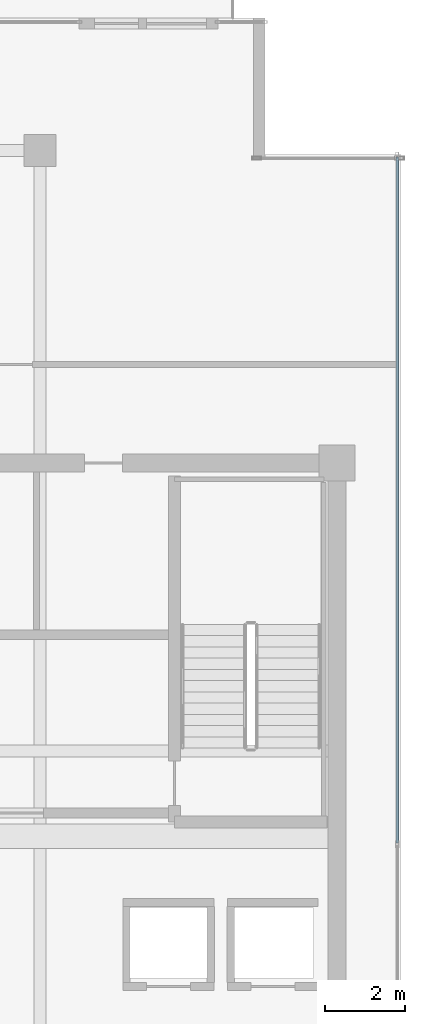
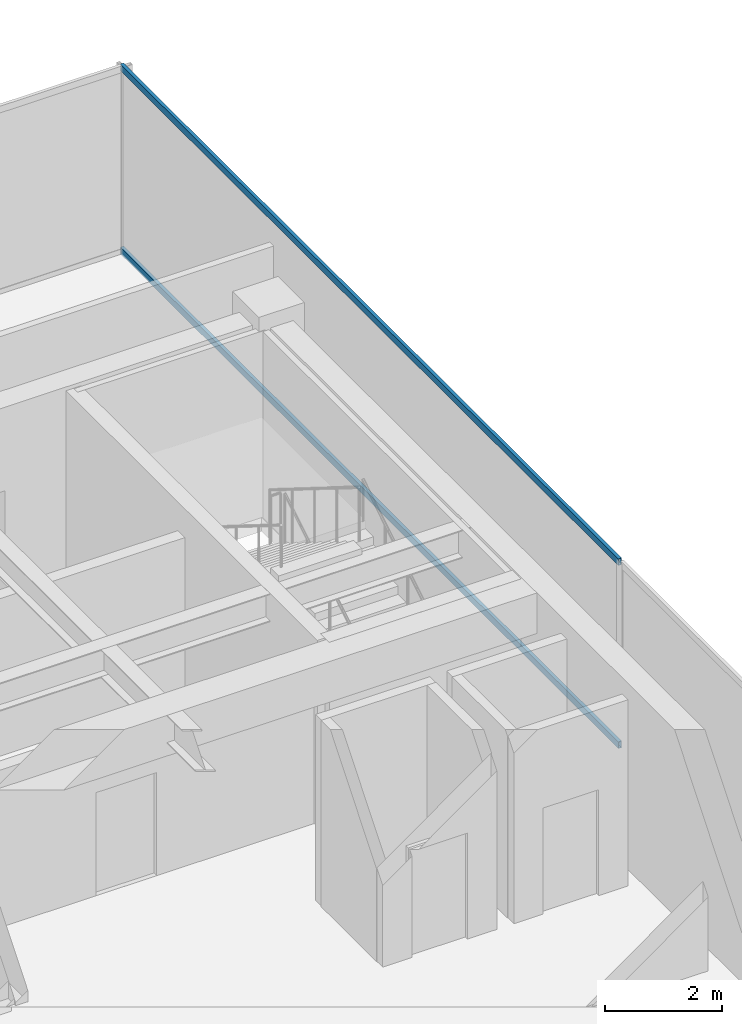
# One storey, part 15 of 31: 2 members, 1 element without a shape of its own.
"""IFC4 building model written with IfcOpenShell, lengths in metres."""

import ifcopenshell
import ifcopenshell.guid

model = None  # the IFC model being written
_history = None  # IfcOwnerHistory: only IFC2X3 demands one
_inside = {}  # id of a spatial element -> (the spatial element, [elements in it])
_under = {}  # id of a project, library or spatial element -> (it, [spatial elements below it])
_declared = {}  # id of a project -> (the project, [libraries it declares])
_typed = {}  # id of a type object -> (the type object, [elements of that type])
_made_of = {}  # id of a material, layer set ... -> (it, [elements and type objects made of it])


def new_model(schema):
    """Start an empty IFC model of exactly this schema.

    Asked for "IFC4X3", IfcOpenShell would pick the latest addendum, in which some entities
    have other attributes; the version numbers below select the first issue.
    IFC2X3 requires an IfcOwnerHistory on every rooted entity: one is made here for all.
    """
    global model, _history
    if schema == "IFC4X3":
        model = ifcopenshell.file(schema_version=(4, 3, 0, 0))
    else:
        model = ifcopenshell.file(schema=schema)
    _inside.clear()
    _under.clear()
    _declared.clear()
    _typed.clear()
    _made_of.clear()
    _history = None
    if model.schema == "IFC2X3":
        org = make("IfcOrganization", Name="unknown")
        user = make(
            "IfcPersonAndOrganization",
            ThePerson=make("IfcPerson", FamilyName="unknown"),
            TheOrganization=org,
        )
        app = make(
            "IfcApplication",
            ApplicationDeveloper=org,
            Version="unknown",
            ApplicationFullName="unknown",
            ApplicationIdentifier="unknown",
        )
        _history = make(
            "IfcOwnerHistory",
            OwningUser=user,
            OwningApplication=app,
            ChangeAction="ADDED",
            CreationDate=0,
        )
    return model


def make(cls, **values):
    """One entity of the class cls with the attributes given. An attribute that is None is left unset."""
    return model.create_entity(
        cls, **{name: value for name, value in values.items() if value is not None}
    )


def rooted(cls, **values):
    """An entity with a GlobalId (a new one), such as an element, a storey or a relation."""
    return make(cls, GlobalId=ifcopenshell.guid.new(), OwnerHistory=_history, **values)


def si_unit(unit_type, name, prefix=None):
    """IfcSIUnit, for example si_unit("LENGTHUNIT", "METRE", prefix="MILLI")."""
    return make("IfcSIUnit", UnitType=unit_type, Prefix=prefix, Name=name)


def assignment(units):
    """IfcUnitAssignment: the units of a project."""
    return None if units is None else make("IfcUnitAssignment", Units=units)


def point(xyz):
    """IfcCartesianPoint."""
    return None if xyz is None else make("IfcCartesianPoint", Coordinates=xyz)


def direction(xyz):
    """IfcDirection."""
    return None if xyz is None else make("IfcDirection", DirectionRatios=xyz)


def frame(location, z_axis=None, x_axis=None):
    """IfcAxis2Placement3D, a coordinate frame: its origin and axes. An axis left out is left unset."""
    return make(
        "IfcAxis2Placement3D",
        Location=point(location),
        Axis=direction(z_axis),
        RefDirection=direction(x_axis),
    )


def frame_2d(location, x_axis=None):
    """IfcAxis2Placement2D, a coordinate frame in the plane: its origin and x axis."""
    return make(
        "IfcAxis2Placement2D", Location=point(location), RefDirection=direction(x_axis)
    )


def origin():
    """The frame at (0, 0, 0) with its axes left unset."""
    return frame((0.0, 0.0, 0.0))


def origin_2d():
    """The frame at (0, 0) in the plane with its x axis left unset."""
    return frame_2d((0.0, 0.0))


def place(relative_to, where):
    """IfcLocalPlacement: puts the frame where relative to a parent placement (None: the world)."""
    return make(
        "IfcLocalPlacement", PlacementRelTo=relative_to, RelativePlacement=where
    )


def context(
    kind, dimensions, precision=None, world=None, true_north=None, identifier=None
):
    """IfcGeometricRepresentationContext, for example the 3D "Model" context."""
    return make(
        "IfcGeometricRepresentationContext",
        ContextIdentifier=identifier,
        ContextType=kind,
        CoordinateSpaceDimension=dimensions,
        Precision=precision,
        WorldCoordinateSystem=world,
        TrueNorth=true_north,
    )


def subcontext(parent, identifier, kind, view, scale=None):
    """IfcGeometricRepresentationSubContext, for example "Body" below "Model"."""
    return make(
        "IfcGeometricRepresentationSubContext",
        ContextIdentifier=identifier,
        ContextType=kind,
        ParentContext=parent,
        TargetScale=scale,
        TargetView=view,
    )


def project(units=None, contexts=None):
    """IfcProject with its units and contexts."""
    return rooted(
        "IfcProject",
        Name="project",
        RepresentationContexts=contexts,
        UnitsInContext=assignment(units),
    )


def spatial(cls, under=None, at=None, **own):
    """A site, building, storey or space (cls), placed at a placement, below another one or the project."""
    s = rooted(cls, ObjectPlacement=at, **own)
    if under is not None:
        _under.setdefault(under.id(), (under, []))[1].append(s)
    return s


def profile(cls, at=None, kind="AREA", **sizes):
    """A parametric profile (cls). Its sizes go by their IFC names, for example OverallWidth=200.0."""
    return make(cls, ProfileType=kind, Position=at, **sizes)


def hollow_rectangle(**sizes):
    """IfcRectangleHollowProfileDef."""
    return profile("IfcRectangleHollowProfileDef", **sizes)


def extrude(swept, where, along, depth):
    """IfcExtrudedAreaSolid: the profile swept, set in the frame where, extruded along a direction by depth."""
    return make(
        "IfcExtrudedAreaSolid",
        SweptArea=swept,
        Position=where,
        ExtrudedDirection=direction(along),
        Depth=depth,
    )


def shape(context_of_items, identifier, shape_type, items):
    """IfcShapeRepresentation: the items that make up one representation, for example the "Body"."""
    return make(
        "IfcShapeRepresentation",
        ContextOfItems=context_of_items,
        RepresentationIdentifier=identifier,
        RepresentationType=shape_type,
        Items=items,
    )


def source(mapping_origin, context_of_items, identifier, shape_type, items):
    """IfcRepresentationMap: a shape defined once, which mapped items show again and again."""
    return make(
        "IfcRepresentationMap",
        MappingOrigin=mapping_origin,
        MappedRepresentation=shape(context_of_items, identifier, shape_type, items),
    )


def transform(
    local_origin,
    x_axis=None,
    y_axis=None,
    z_axis=None,
    scale=None,
    scale2=None,
    scale3=None,
    uniform=True,
):
    """IfcCartesianTransformationOperator3D, or its non-uniform kind. x_axis, y_axis, z_axis: its Axis1, 2, 3."""
    if uniform:
        return make(
            "IfcCartesianTransformationOperator3D",
            Axis1=direction(x_axis),
            Axis2=direction(y_axis),
            LocalOrigin=point(local_origin),
            Scale=scale,
            Axis3=direction(z_axis),
        )
    return make(
        "IfcCartesianTransformationOperator3DnonUniform",
        Axis1=direction(x_axis),
        Axis2=direction(y_axis),
        LocalOrigin=point(local_origin),
        Scale=scale,
        Axis3=direction(z_axis),
        Scale2=scale2,
        Scale3=scale3,
    )


def mapped(mapping_source, mapping_target):
    """IfcMappedItem: shows the shape of a source again, moved by a transform."""
    return make(
        "IfcMappedItem", MappingSource=mapping_source, MappingTarget=mapping_target
    )


def material(Name=None, Category=None):
    """IfcMaterial."""
    return make("IfcMaterial", Name=Name, Category=Category)


def layer(
    of_material, thickness, ventilated=None, Name=None, Category=None, Priority=None
):
    """IfcMaterialLayer: one layer of a wall or slab, of a material (None: an air gap)."""
    return make(
        "IfcMaterialLayer",
        Material=of_material,
        LayerThickness=thickness,
        IsVentilated=ventilated,
        Name=Name,
        Category=Category,
        Priority=Priority,
    )


def layer_set(layers, Name=None):
    """IfcMaterialLayerSet."""
    return make("IfcMaterialLayerSet", MaterialLayers=layers, LayerSetName=Name)


def material_profile(
    of_material, cross_section, Name=None, Category=None, Priority=None
):
    """IfcMaterialProfile: a cross section and its material."""
    return make(
        "IfcMaterialProfile",
        Name=Name,
        Material=of_material,
        Profile=cross_section,
        Priority=Priority,
        Category=Category,
    )


def profile_set(profiles, Name=None, composite=None):
    """IfcMaterialProfileSet."""
    return make(
        "IfcMaterialProfileSet",
        Name=Name,
        MaterialProfiles=profiles,
        CompositeProfile=composite,
    )


def made_of(thing, what):
    """Note that an element or type object is made of a material, layer set ...; save() writes the relation."""
    if what is not None:
        _made_of.setdefault(what.id(), (what, []))[1].append(thing)
    return thing


def type_object(cls, material=None, **own):
    """A type object (cls), such as IfcWallType, which elements share."""
    return made_of(rooted(cls, **own), material)


def type_shapes(of_type, sources):
    """Give a type object the sources (RepresentationMaps) that its elements show as mapped items."""
    of_type.RepresentationMaps = sources


def element(
    cls,
    number,
    at=None,
    inside=None,
    cuts=None,
    type_object=None,
    material=None,
    context=None,
    identifier="Body",
    shape_type=None,
    held_by="IfcProductDefinitionShape",
    body=None,
    shapes=None,
    **own,
):
    """One element of the class cls, such as IfcWall. Its Tag is "e" and its number.

    at: its placement. inside: the storey or other place that contains it. cuts: it is an
    opening in that element (IfcRelVoidsElement). A single representation is given by context,
    identifier, shape_type and body (its items); several are given by shapes. held_by: the class
    of the entity that holds the representations. save() writes the other relations.
    """
    e = rooted(cls, Tag="e%d" % number, ObjectPlacement=at, **own)
    if body is not None:
        shapes = [shape(context, identifier, shape_type, body)]
    if shapes is not None:
        e.Representation = make(held_by, Representations=shapes)
    if inside is not None:
        _inside.setdefault(inside.id(), (inside, []))[1].append(e)
    if cuts is not None:
        rooted(
            "IfcRelVoidsElement", RelatingBuildingElement=cuts, RelatedOpeningElement=e
        )
    if type_object is not None:
        _typed.setdefault(type_object.id(), (type_object, []))[1].append(e)
    return made_of(e, material)


def aggregate(whole, parts):
    """IfcRelAggregates: a whole, such as a stair, and the parts it consists of."""
    return rooted("IfcRelAggregates", RelatingObject=whole, RelatedObjects=parts)


def save(model, path):
    """Write the relations noted so far, then the file.

    IfcRelAggregates (storeys below a building ...), IfcRelContainedInSpatialStructure (elements
    in a storey), IfcRelDefinesByType, IfcRelAssociatesMaterial and IfcRelDeclares: one each for
    every whole, place, type object, material and project.
    """
    for whole, parts in _under.values():
        aggregate(whole, parts)
    for where, things in _inside.values():
        rooted(
            "IfcRelContainedInSpatialStructure",
            RelatedElements=things,
            RelatingStructure=where,
        )
    for kind, things in _typed.values():
        rooted("IfcRelDefinesByType", RelatedObjects=things, RelatingType=kind)
    for what, things in _made_of.values():
        rooted("IfcRelAssociatesMaterial", RelatedObjects=things, RelatingMaterial=what)
    for by, libraries in _declared.values():
        rooted("IfcRelDeclares", RelatingContext=by, RelatedDefinitions=libraries)
    model.write(path)


model = new_model("IFC4")

# Units and contexts
model_context = context("Model", 3, precision=1e-05, world=origin(), true_north=direction((0.0, 1.0)))
body_context = subcontext(model_context, "Body", "Model", "MODEL_VIEW")
ifc_project = project(units=[si_unit("LENGTHUNIT", "METRE"), si_unit("AREAUNIT", "SQUARE_METRE"), si_unit("VOLUMEUNIT", "CUBIC_METRE"), si_unit("PLANEANGLEUNIT", "RADIAN"), si_unit("MASSUNIT", "GRAM", prefix="KILO")], contexts=[model_context])

# Site, building, storey
site_placement = place(None, origin())
site = spatial("IfcSite", under=ifc_project, at=site_placement, CompositionType="ELEMENT")
building_placement = place(site_placement, origin())
building = spatial("IfcBuilding", under=site, at=building_placement, Name="Haelvirn Gate Laboratories", CompositionType="ELEMENT")
storey_placement = place(building_placement, frame((0.0, 0.0, 310.199951171875)))
storey = spatial("IfcBuildingStorey", under=building, at=storey_placement, Name="L74", CompositionType="ELEMENT", Elevation=310.199951171875)

# Curtain wall, members
ifc_material_1 = material(Name="Anodised bronze unitised aluminium & triple low-E glass", Category="aluminium")
ifc_layer = layer(ifc_material_1, 0.176025390625, Name="CW-SYS-4")
ifc_layer_set = layer_set([ifc_layer], Name="Anodised bronze unitised aluminium & triple low-E glass")
curtain_wall_type = type_object("IfcCurtainWallType", Name="CW-SYS-4", PredefinedType="NOTDEFINED", material=ifc_layer_set)
curtain_wall_placement = place(storey_placement, origin())
curtain_wall = element("IfcCurtainWall", 1, at=curtain_wall_placement, inside=storey, type_object=curtain_wall_type, Name="L74 Unitised Curtain Wall CW-L74-P0-E07", PredefinedType="NOTDEFINED")
ifc_material_2 = material(Name="Extruded aluminium 6063-T6 (anodised bronze)", Category="aluminium")
ifc_material_profile = material_profile(ifc_material_2, hollow_rectangle(XDim=0.06494140625, YDim=0.139892578125, WallThickness=0.00390625, at=origin_2d()), Name="CWT-140x65x4")
ifc_profile_set = profile_set([ifc_material_profile], Name="Extruded aluminium 6063-T6 (anodised bronze)")
member_type = type_object("IfcMemberType", Name="CWT-T140", PredefinedType="USERDEFINED", material=ifc_profile_set)
shared_shape = source(origin(), body_context, "Body", "SweptSolid", [
    extrude(hollow_rectangle(XDim=0.06494140625, YDim=0.139892578125, WallThickness=0.00390625, at=origin_2d()), origin(), (0.0, 0.0, 1.0), 17.094970703125),
])
type_shapes(member_type, [shared_shape])
member_1_placement = place(storey_placement, frame((68.89990234375, 24.3349609375, 0.032470703125), z_axis=(0.0, 1.0, 0.0), x_axis=(-1.0, 0.0, 0.0)))
member_1 = element("IfcMember", 2, at=member_1_placement, type_object=member_type, Name="CW4 transom 2.1", ObjectType="TRANSOM", PredefinedType="USERDEFINED", context=body_context, shape_type="MappedRepresentation", body=[
    mapped(shared_shape, transform((0.0, 0.0, 0.0), scale=1.0)),
])
member_2_placement = place(storey_placement, frame((68.89990234375, 24.3349609375, 3.867431640625), z_axis=(0.0, 1.0, 0.0), x_axis=(-1.0, 0.0, 0.0)))
member_2 = element("IfcMember", 3, at=member_2_placement, type_object=member_type, Name="CW4 transom 2.2", ObjectType="TRANSOM", PredefinedType="USERDEFINED", context=body_context, shape_type="MappedRepresentation", body=[
    mapped(shared_shape, transform((0.0, 0.0, 0.0), scale=1.0)),
])
aggregate(curtain_wall, [member_1, member_2])

save(model, "model.ifc")
